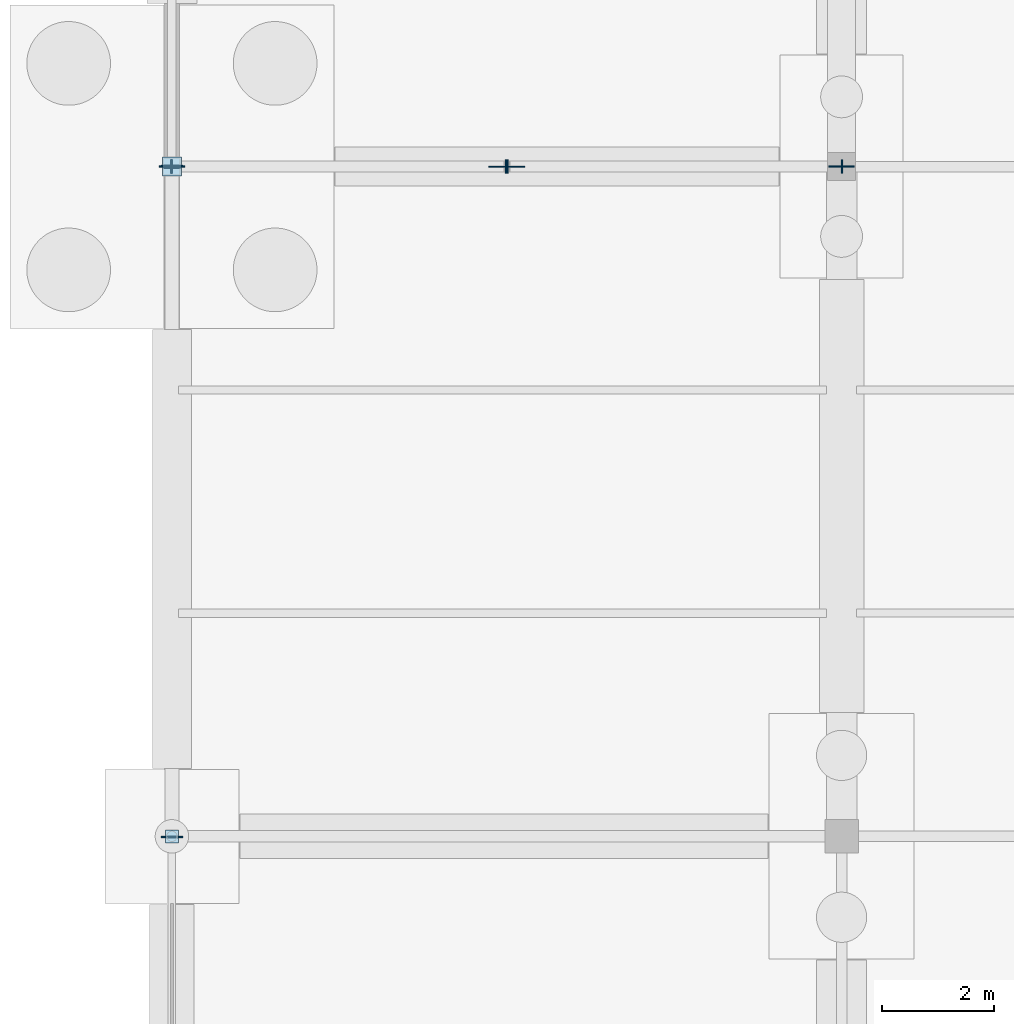
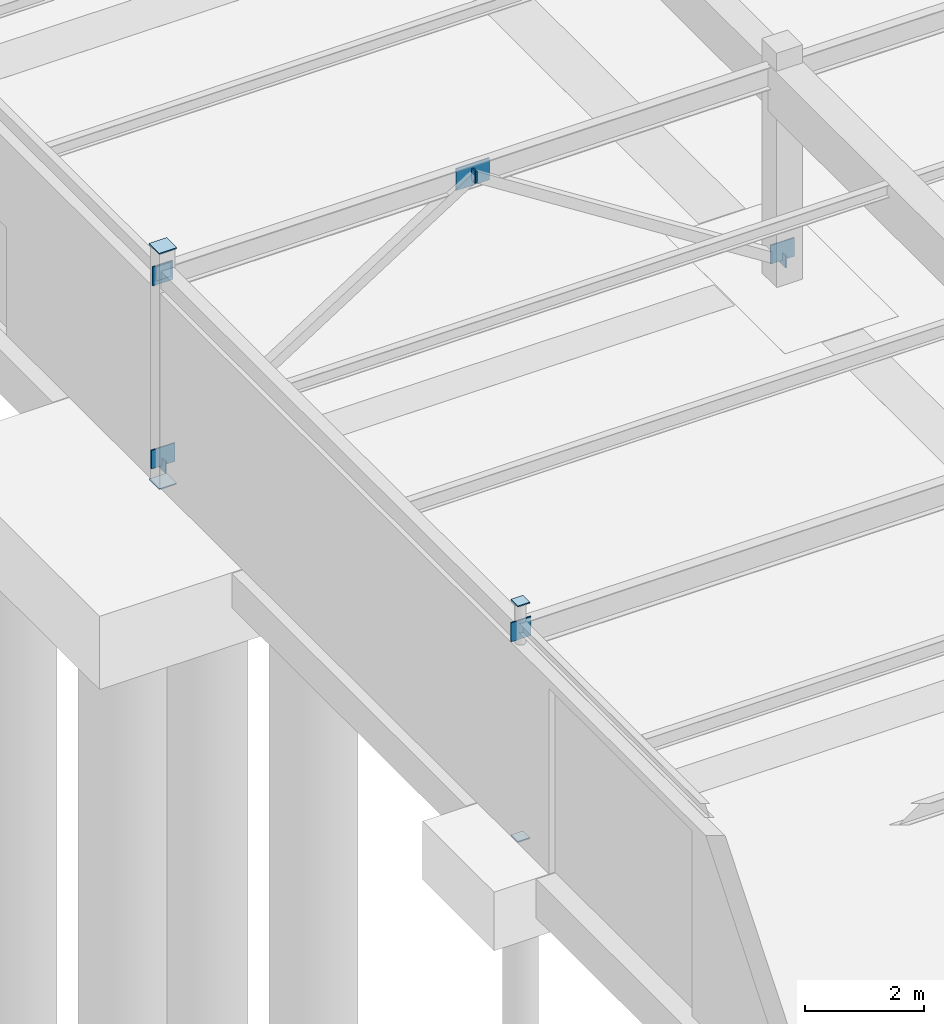
# One storey, part 96 of 136: 14 plates.
"""IFC4 building model written with IfcOpenShell, lengths in metres."""

from ifc_helpers import new_model, si_unit, direction, frame, origin, origin_2d, place, context, subcontext, project, spatial, rectangle, extrude, material, layer, layer_set, type_object, element, save


model = new_model("IFC4")

# Units and contexts
model_context = context("Model", 3, precision=1e-05, world=origin(), true_north=direction((0.0, 1.0)))
body_context = subcontext(model_context, "Body", "Model", "MODEL_VIEW")
ifc_project = project(units=[si_unit("LENGTHUNIT", "METRE"), si_unit("AREAUNIT", "SQUARE_METRE"), si_unit("VOLUMEUNIT", "CUBIC_METRE"), si_unit("PLANEANGLEUNIT", "RADIAN"), si_unit("MASSUNIT", "GRAM", prefix="KILO")], contexts=[model_context])

# Site, building, storey
site_placement = place(None, origin())
site = spatial("IfcSite", under=ifc_project, at=site_placement, CompositionType="ELEMENT")
building_placement = place(site_placement, origin())
building = spatial("IfcBuilding", under=site, at=building_placement, Name="Tarnwether General Hospital", CompositionType="ELEMENT")
storey_placement = place(building_placement, frame((0.0, 0.0, -4.800048828125)))
storey = spatial("IfcBuildingStorey", under=building, at=storey_placement, Name="LG", CompositionType="ELEMENT", Elevation=-4.800048828125)

# Plates
ifc_material_1 = material(Name="Steel Grade 350 (350 MPa)", Category="steel")
ifc_layer_1 = layer(ifc_material_1, 0.02001953125)
ifc_layer_set_1 = layer_set([ifc_layer_1], Name="Steel Grade 350 (350 MPa)")
plate_type_1 = type_object("IfcPlateType", Name="PT-GUS1", PredefinedType="USERDEFINED", material=ifc_layer_set_1)
plate_1_placement = place(storey_placement, frame((6.0, 81.60009765625, 3.96484375), z_axis=(0.0, 0.0, 1.0), x_axis=(1.0, 0.0, 0.0)))
element("IfcPlate", 1, at=plate_1_placement, inside=storey, type_object=plate_type_1, Name="Chevron Brace Apex Gusset Plate 006", ObjectType="GUSSET", PredefinedType="USERDEFINED", context=body_context, shape_type="SweptSolid", body=[
    extrude(rectangle(XDim=0.64990234375, YDim=0.02001953125, at=origin_2d()), origin(), (0.0, 0.0, 1.0), 0.449951171875),
])
ifc_material_2 = material(Name="Steel Grade 350 (350 MPa)", Category="steel")
ifc_layer_2 = layer(ifc_material_2, 0.02490234375)
ifc_layer_set_2 = layer_set([ifc_layer_2], Name="Steel Grade 350 (350 MPa)")
plate_type_2 = type_object("IfcPlateType", Name="PT-GUS2", PredefinedType="USERDEFINED", material=ifc_layer_set_2)
for number, where, z_axis, x_axis, name in (
    (2, (0.0, 81.60009765625, 0.330078125), (0.0, 0.0, 1.0), (1.0, 0.0, 0.0), "Brace Base Gusset Plate 004"),
    (3, (12.0, 81.60009765625, 0.330078125), (0.0, 0.0, 1.0), (1.0, 0.0, 0.0), "Brace Base Gusset Plate 005"),
):
    element("IfcPlate", number, at=place(storey_placement, frame(where, z_axis=z_axis, x_axis=x_axis)), inside=storey, type_object=plate_type_2, Name=name, ObjectType="GUSSET", PredefinedType="USERDEFINED", context=body_context, shape_type="SweptSolid", body=[
        extrude(rectangle(XDim=0.4599609375, YDim=0.02490234375, at=origin_2d()), origin(), (0.0, 0.0, 1.0), 0.3798828125),
    ])
for number, where, z_axis, x_axis, name in (
    (4, (0.0, 69.60009765625, -0.02490234375), (0.0, 0.0, 1.0), (1.0, 0.0, 0.0), "Hollow Section Welded End Cap Plate 0011"),
    (5, (0.0, 69.60009765625, 4.800048828125), (0.0, 0.0, 1.0), (1.0, 0.0, 0.0), "Hollow Section Welded End Cap Plate 0012"),
):
    element("IfcPlate", number, at=place(storey_placement, frame(where, z_axis=z_axis, x_axis=x_axis)), inside=storey, type_object=plate_type_2, Name=name, ObjectType="GUSSET", PredefinedType="USERDEFINED", context=body_context, shape_type="SweptSolid", body=[
        extrude(rectangle(XDim=0.23388671875, YDim=0.23388671875, at=origin_2d()), origin(), (0.0, 0.0, 1.0), 0.02490234375),
    ])
for number, where, z_axis, x_axis, name in (
    (6, (0.0, 81.60009765625, -0.02490234375), (0.0, 0.0, 1.0), (1.0, 0.0, 0.0), "Hollow Section Welded End Cap Plate 0015"),
    (7, (0.0, 81.60009765625, 4.800048828125), (0.0, 0.0, 1.0), (1.0, 0.0, 0.0), "Hollow Section Welded End Cap Plate 0016"),
):
    element("IfcPlate", number, at=place(storey_placement, frame(where, z_axis=z_axis, x_axis=x_axis)), inside=storey, type_object=plate_type_2, Name=name, ObjectType="GUSSET", PredefinedType="USERDEFINED", context=body_context, shape_type="SweptSolid", body=[
        extrude(rectangle(XDim=0.340087890625, YDim=0.340087890625, at=origin_2d()), origin(), (0.0, 0.0, 1.0), 0.02490234375),
    ])
for number, where, z_axis, x_axis, name in (
    (8, (0.0, 69.58740234375, 4.06005859375), (0.0, 0.0, 1.0), (0.0, 1.0, 0.0), "Hollow Section Welded End Cap Plate 0809"),
    (9, (0.0, 81.612548828125, 4.06005859375), (0.0, 0.0, 1.0), (0.0, 1.0, 0.0), "Hollow Section Welded End Cap Plate 0810"),
):
    element("IfcPlate", number, at=place(storey_placement, frame(where, z_axis=z_axis, x_axis=x_axis)), inside=storey, type_object=plate_type_2, Name=name, ObjectType="GUSSET", PredefinedType="USERDEFINED", context=body_context, shape_type="SweptSolid", body=[
        extrude(rectangle(XDim=0.02490234375, YDim=0.389892578125, at=origin_2d()), origin(), (0.0, 0.0, 1.0), 0.389892578125),
    ])
plate_2_placement = place(storey_placement, frame((0.0, 81.58740234375, 4.159912109375), z_axis=(0.0, 0.0, 1.0), x_axis=(0.0, 1.0, 0.0)))
element("IfcPlate", 10, at=plate_2_placement, inside=storey, type_object=plate_type_2, Name="Hollow Section Welded End Cap Plate 0811", ObjectType="GUSSET", PredefinedType="USERDEFINED", context=body_context, shape_type="SweptSolid", body=[
    extrude(rectangle(XDim=0.02490234375, YDim=0.2900390625, at=origin_2d()), origin(), (0.0, 0.0, 1.0), 0.2900390625),
])
for number, where, z_axis, x_axis, name in (
    (11, (-0.010498046875, 81.60009765625, 0.2333984375), (0.0, 0.0, 1.0), (1.0, 0.0, 0.0), "Hollow Section Welded End Cap Plate 1179"),
    (12, (6.010498046875, 81.60009765625, 4.07666015625), (0.0, 0.0, 1.0), (1.0, 0.0, 0.0), "Hollow Section Welded End Cap Plate 1180"),
    (13, (12.010498046875, 81.60009765625, 0.2333984375), (0.0, 0.0, 1.0), (-1.0, 0.0, 0.0), "Hollow Section Welded End Cap Plate 1181"),
    (14, (5.989501953125, 81.60009765625, 4.07666015625), (0.0, 0.0, 1.0), (-1.0, 0.0, 0.0), "Hollow Section Welded End Cap Plate 1182"),
):
    element("IfcPlate", number, at=place(storey_placement, frame(where, z_axis=z_axis, x_axis=x_axis)), inside=storey, type_object=plate_type_2, Name=name, ObjectType="GUSSET", PredefinedType="USERDEFINED", context=body_context, shape_type="SweptSolid", body=[
        extrude(rectangle(XDim=0.02490234375, YDim=0.239990234375, at=origin_2d()), origin(), (0.0, 0.0, 1.0), 0.239990234375),
    ])

save(model, "model.ifc")
